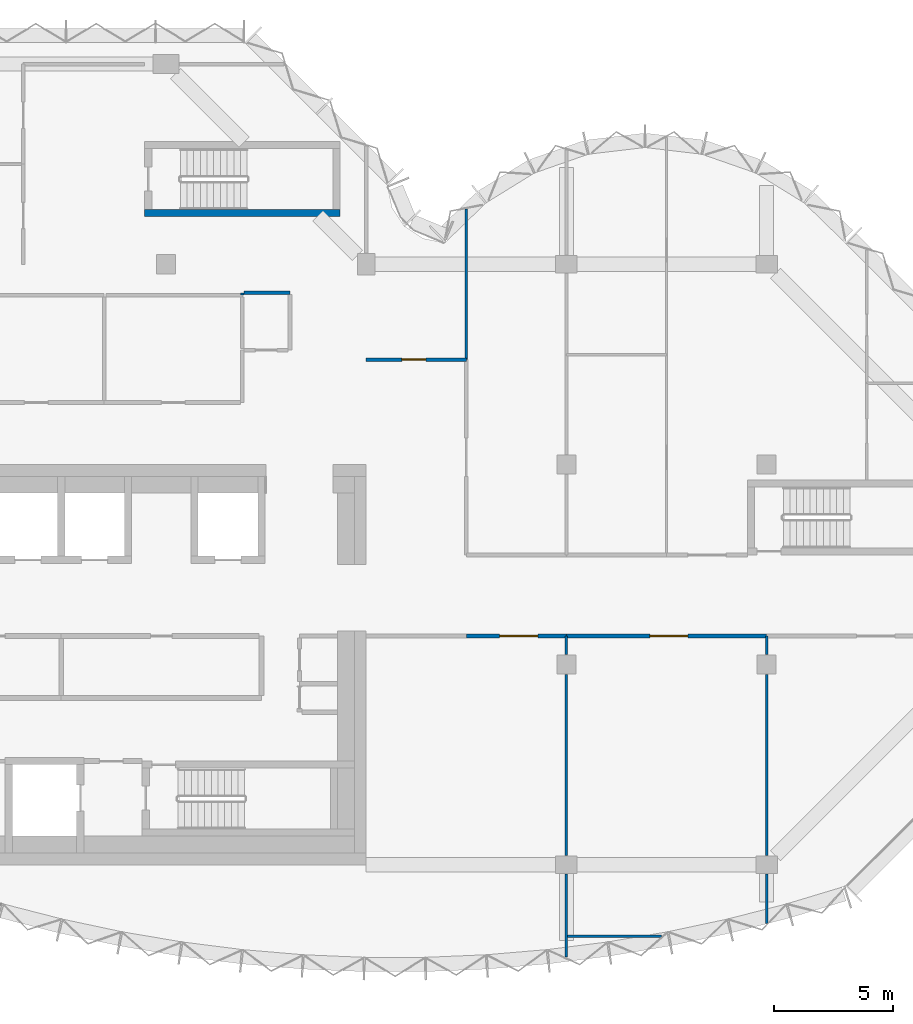
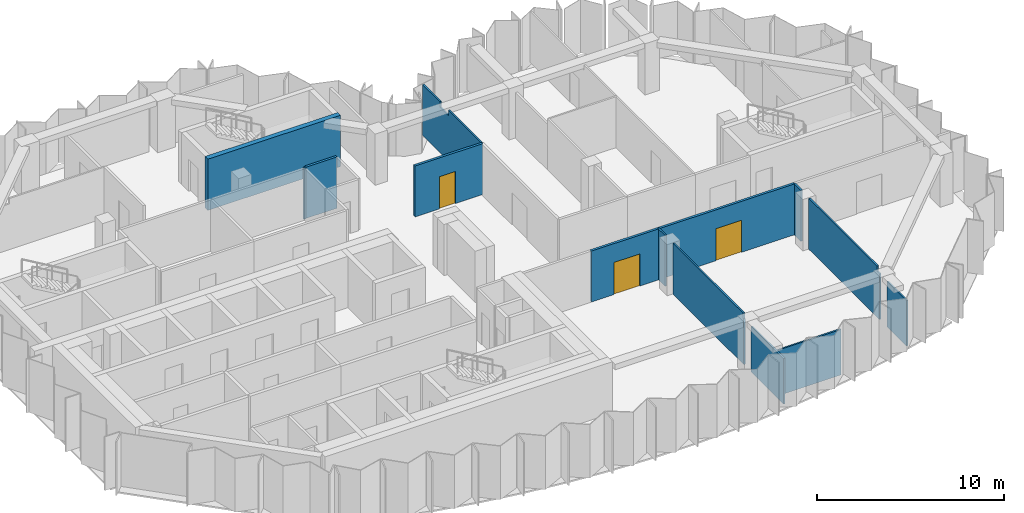
# One storey, part 6 of 10: 14 walls, 3 doors, 3 openings.
"""IFC4 building model written with IfcOpenShell, lengths in metres."""

from ifc_helpers import new_model, si_unit, direction, frame, frame_2d, origin, place, context, subcontext, project, spatial, polyline, rectangle, outline, extrude, material, layer, layer_set, type_object, element, fill, save


model = new_model("IFC4")

# Units and contexts
model_context = context("Model", 3, precision=1e-05, world=origin(), true_north=direction((0.0, 1.0)))
body_context = subcontext(model_context, "Body", "Model", "MODEL_VIEW")
ifc_project = project(units=[si_unit("LENGTHUNIT", "METRE"), si_unit("AREAUNIT", "SQUARE_METRE"), si_unit("VOLUMEUNIT", "CUBIC_METRE"), si_unit("PLANEANGLEUNIT", "RADIAN"), si_unit("MASSUNIT", "GRAM", prefix="KILO")], contexts=[model_context])

# Site, building, storey
site_placement = place(None, origin())
site = spatial("IfcSite", under=ifc_project, at=site_placement, CompositionType="ELEMENT")
building_placement = place(site_placement, origin())
building = spatial("IfcBuilding", under=site, at=building_placement, Name="Brevane Broadcast Tower", CompositionType="ELEMENT")
storey_placement = place(building_placement, frame((0.0, 0.0, 233.699951171875)))
storey = spatial("IfcBuildingStorey", under=building, at=storey_placement, Name="L59", CompositionType="ELEMENT", Elevation=233.699951171875)

# Walls
ifc_material_1 = material(Name="Gypsum board on steel studs", Category="steel")
ifc_layer_1 = layer(ifc_material_1, 0.14990234375)
ifc_layer_set_1 = layer_set([ifc_layer_1], Name="Core fire partition 150 mm")
wall_type_1 = type_object("IfcWallType", Name="Core fire partition 150 mm", PredefinedType="PARTITIONING", material=ifc_layer_set_1)
wall_1_placement = place(storey_placement, frame((20.0, 23.89990234375, 0.0), z_axis=(0.0, 0.0, 1.0), x_axis=(0.0, 1.0, 0.0)))
element("IfcWall", 1, at=wall_1_placement, inside=storey, type_object=wall_type_1, Name="L59 partition wall P30", PredefinedType="PARTITIONING", context=body_context, shape_type="SweptSolid", body=[
    extrude(rectangle(XDim=0.10009765625, YDim=0.14990234375, at=frame_2d((0.050048828125, 0.0))), origin(), (0.0, 0.0, 1.0), 3.35009765625),
])
wall_2_placement = place(storey_placement, frame((20.074951171875, 24.0, 0.0), z_axis=(0.0, 0.0, 1.0), x_axis=(1.0, 0.0, 0.0)))
element("IfcWall", 2, at=wall_2_placement, inside=storey, type_object=wall_type_1, Name="L59 partition wall P31", PredefinedType="PARTITIONING", context=body_context, shape_type="SweptSolid", body=[
    extrude(rectangle(XDim=1.925048828125, YDim=0.14990234375, at=frame_2d((0.96240234375, 0.0))), origin(), (0.0, 0.0, 1.0), 3.35009765625),
])
ifc_material_2 = material(Name="Concrete C50/60", Category="concrete")
ifc_layer_2 = layer(ifc_material_2, 0.300048828125)
ifc_layer_set_2 = layer_set([ifc_layer_2], Name="Core wall 300 mm C50/60")
wall_type_2 = type_object("IfcWallType", Name="Core wall 300 mm C50/60", PredefinedType="SHEAR", material=ifc_layer_set_2)
wall_3_placement = place(storey_placement, frame((15.89990234375, 27.35009765625, 0.0), z_axis=(0.0, 0.0, 1.0), x_axis=(1.0, 0.0, 0.0)))
element("IfcWall", 3, at=wall_3_placement, inside=storey, type_object=wall_type_2, Name="L59 stair wall ST-3-S", PredefinedType="SHEAR", context=body_context, shape_type="SweptSolid", body=[
    extrude(rectangle(XDim=8.2001953125, YDim=0.300048828125, at=frame_2d((4.10009765625, 0.0))), origin(), (0.0, 0.0, 1.0), 3.35009765625),
])
ifc_material_3 = material(Name="Gypsum board partition")
ifc_layer_3 = layer(ifc_material_3, 0.10009765625)
ifc_layer_set_3 = layer_set([ifc_layer_3], Name="PARTITION 100 STUD")
wall_type_3 = type_object("IfcWallType", Name="PARTITION 100 STUD", PredefinedType="PARTITIONING", material=ifc_layer_set_3)
wall_4_placement = place(storey_placement, frame((29.39990234375, 27.510986328125, 0.0), z_axis=(0.0, 0.0, 1.0), x_axis=(0.0, -1.0, 0.0)))
element("IfcWall", 4, at=wall_4_placement, inside=storey, type_object=wall_type_3, Name="Partition G18-004", PredefinedType="PARTITIONING", context=body_context, shape_type="SweptSolid", body=[
    extrude(outline(polyline([(0.0, 0.0), (6.31103515625, 0.0), (6.31103515625, 3.330078125), (2.760986328125, 3.330078125), (2.759033203125, 2.97998046875), (1.863037109375, 2.97998046875), (1.861083984375, 3.330078125), (0.236083984375, 3.330078125), (0.0, 3.330078125), (0.0, 0.0)])), frame((0.0, 0.050048828125, 0.0), z_axis=(0.0, -1.0, 0.0), x_axis=(1.0, 0.0, 0.0)), (0.0, 0.0, 1.0), 0.10009765625),
])
wall_5_placement = place(storey_placement, frame((33.60009765625, 9.60009765625, 0.0), z_axis=(0.0, 0.0, 1.0), x_axis=(0.0, -1.0, 0.0)))
element("IfcWall", 5, at=wall_5_placement, inside=storey, type_object=wall_type_3, Name="Partition G18-013", PredefinedType="PARTITIONING", context=body_context, shape_type="SweptSolid", body=[
    extrude(rectangle(XDim=0.780029296875, YDim=0.10009765625, at=frame_2d((0.39013671875, 0.0))), origin(), (0.0, 0.0, 1.0), 3.330078125),
])
wall_6_placement = place(storey_placement, frame((33.60009765625, 7.97998046875, 0.0), z_axis=(0.0, 0.0, 1.0), x_axis=(0.0, -1.0, 0.0)))
element("IfcWall", 6, at=wall_6_placement, inside=storey, type_object=wall_type_3, Name="Partition G18-014", PredefinedType="PARTITIONING", context=body_context, shape_type="SweptSolid", body=[
    extrude(outline(polyline([(0.0, 0.0), (7.5849609375, 0.0), (7.5849609375, 2.97998046875), (7.531982421875, 2.97998046875), (7.530029296875, 3.330078125), (0.0, 3.330078125), (0.0, 0.0)])), frame((0.0, 0.050048828125, 0.0), z_axis=(0.0, -1.0, 0.0), x_axis=(1.0, 0.0, 0.0)), (0.0, 0.0, 1.0), 0.10009765625),
])
wall_7_placement = place(storey_placement, frame((33.60009765625, -0.39501953125, 0.0), z_axis=(0.0, 0.0, 1.0), x_axis=(0.0, -1.0, 0.0)))
element("IfcWall", 7, at=wall_7_placement, inside=storey, type_object=wall_type_3, Name="Partition G18-015", PredefinedType="PARTITIONING", context=body_context, shape_type="SweptSolid", body=[
    extrude(rectangle(XDim=3.4853515625, YDim=0.10009765625, at=frame_2d((1.74267578125, 0.0))), origin(), (0.0, 0.0, 1.0), 2.97998046875),
])
wall_8_placement = place(storey_placement, frame((33.60009765625, -3.0, 0.0), z_axis=(0.0, 0.0, 1.0), x_axis=(1.0, 0.0, 0.0)))
element("IfcWall", 8, at=wall_8_placement, inside=storey, type_object=wall_type_3, Name="Partition G18-016", PredefinedType="PARTITIONING", context=body_context, shape_type="SweptSolid", body=[
    extrude(rectangle(XDim=3.990234375, YDim=0.10009765625, at=frame_2d((1.9951171875, 0.0))), origin(), (0.0, 0.0, 1.0), 2.97998046875),
])
wall_9_placement = place(storey_placement, frame((42.0, 9.60009765625, 0.0), z_axis=(0.0, 0.0, 1.0), x_axis=(0.0, -1.0, 0.0)))
element("IfcWall", 9, at=wall_9_placement, inside=storey, type_object=wall_type_3, Name="Partition G18-017", PredefinedType="PARTITIONING", context=body_context, shape_type="SweptSolid", body=[
    extrude(rectangle(XDim=0.780029296875, YDim=0.10009765625, at=frame_2d((0.39013671875, 0.0))), origin(), (0.0, 0.0, 1.0), 3.330078125),
])
wall_10_placement = place(storey_placement, frame((42.0, 7.97998046875, 0.0), z_axis=(0.0, 0.0, 1.0), x_axis=(0.0, -1.0, 0.0)))
element("IfcWall", 10, at=wall_10_placement, inside=storey, type_object=wall_type_3, Name="Partition G18-018", PredefinedType="PARTITIONING", context=body_context, shape_type="SweptSolid", body=[
    extrude(outline(polyline([(0.0, 0.0), (7.5849609375, 0.0), (7.5849609375, 2.97998046875), (7.31640625, 2.97998046875), (7.314208984375, 3.330078125), (0.0, 3.330078125), (0.0, 0.0)])), frame((0.0, 0.050048828125, 0.0), z_axis=(0.0, -1.0, 0.0), x_axis=(1.0, 0.0, 0.0)), (0.0, 0.0, 1.0), 0.10009765625),
])
wall_11_placement = place(storey_placement, frame((42.0, -0.39501953125, 0.0), z_axis=(0.0, 0.0, 1.0), x_axis=(0.0, -1.0, 0.0)))
element("IfcWall", 11, at=wall_11_placement, inside=storey, type_object=wall_type_3, Name="Partition G18-019", PredefinedType="PARTITIONING", context=body_context, shape_type="SweptSolid", body=[
    extrude(rectangle(XDim=2.074951171875, YDim=0.10009765625, at=frame_2d((1.03759765625, 0.0))), origin(), (0.0, 0.0, 1.0), 2.97998046875),
])

# Wall, opening, door
ifc_layer_4 = layer(ifc_material_3, 0.14990234375)
ifc_layer_set_4 = layer_set([ifc_layer_4], Name="PARTITION 150 EI 60")
wall_type_4 = type_object("IfcWallType", Name="PARTITION 150 EI 60", PredefinedType="PARTITIONING", material=ifc_layer_set_4)
wall_12_placement = place(storey_placement, frame((25.199951171875, 21.199951171875, 0.0), z_axis=(0.0, 0.0, 1.0), x_axis=(1.0, 0.0, 0.0)))
wall_12 = element("IfcWall", 12, at=wall_12_placement, inside=storey, type_object=wall_type_4, Name="Partition G18-001", PredefinedType="PARTITIONING", context=body_context, shape_type="SweptSolid", body=[
    extrude(rectangle(XDim=4.199951171875, YDim=0.14990234375, at=frame_2d((2.10009765625, 0.0))), origin(), (0.0, 0.0, 1.0), 3.330078125),
])
opening_1_placement = place(wall_12_placement, frame((1.5, 0.0, 0.0)))
opening_1 = element("IfcOpeningElement", 13, at=opening_1_placement, cuts=wall_12, Name="Opening D29-001", PredefinedType="OPENING", context=body_context, shape_type="SweptSolid", body=[
    extrude(rectangle(XDim=1.0, YDim=2.10009765625, at=frame_2d((0.5, 1.050048828125))), frame((0.0, 0.0849609375, 0.0), z_axis=(0.0, -1.0, 0.0), x_axis=(1.0, 0.0, 0.0)), (0.0, 0.0, 1.0), 0.169921875),
])
ifc_material_4 = material(Name="Fire-rated timber door leaf", Category="wood")
door_type_1 = type_object("IfcDoorType", Name="DOOR SINGLE 1000 FD30S", OperationType="SINGLE_SWING_LEFT", PredefinedType="DOOR", material=ifc_material_4)
door_1_placement = place(opening_1_placement, origin())
door_1 = element("IfcDoor", 14, at=door_1_placement, inside=storey, type_object=door_type_1, Name="Door D29-001", OperationType="SINGLE_SWING_LEFT", OverallHeight=2.10009765625, OverallWidth=1.0, PredefinedType="DOOR", context=body_context, shape_type="SweptSolid", body=[
    extrude(rectangle(XDim=1.0, YDim=2.10009765625, at=frame_2d((0.5, 1.050048828125))), frame((0.0, 0.02490234375, 0.0), z_axis=(0.0, -1.0, 0.0), x_axis=(1.0, 0.0, 0.0)), (0.0, 0.0, 1.0), 0.050048828125),
])
fill(opening_1, door_1)

wall_13_placement = place(storey_placement, frame((33.60009765625, 9.60009765625, 0.0), z_axis=(0.0, 0.0, 1.0), x_axis=(-1.0, 0.0, 0.0)))
wall_13 = element("IfcWall", 15, at=wall_13_placement, inside=storey, type_object=wall_type_4, Name="Partition G18-006", PredefinedType="PARTITIONING", context=body_context, shape_type="SweptSolid", body=[
    extrude(rectangle(XDim=4.2001953125, YDim=0.14990234375, at=frame_2d((2.10009765625, 0.0))), origin(), (0.0, 0.0, 1.0), 3.330078125),
])
opening_2_placement = place(wall_13_placement, frame((1.199951171875, 0.0, 0.0)))
opening_2 = element("IfcOpeningElement", 16, at=opening_2_placement, cuts=wall_13, Name="Opening D29-002", PredefinedType="OPENING", context=body_context, shape_type="SweptSolid", body=[
    extrude(rectangle(XDim=1.60009765625, YDim=2.10009765625, at=frame_2d((0.800048828125, 1.050048828125))), frame((0.0, 0.0849609375, 0.0), z_axis=(0.0, -1.0, 0.0), x_axis=(1.0, 0.0, 0.0)), (0.0, 0.0, 1.0), 0.169921875),
])
door_type_2 = type_object("IfcDoorType", Name="DOOR DOUBLE 1600 FD30S", OperationType="DOUBLE_DOOR_SINGLE_SWING", PredefinedType="DOOR", material=ifc_material_4)
door_2_placement = place(opening_2_placement, origin())
door_2 = element("IfcDoor", 17, at=door_2_placement, inside=storey, type_object=door_type_2, Name="Door D29-002", OperationType="DOUBLE_DOOR_SINGLE_SWING", OverallHeight=2.10009765625, OverallWidth=1.60009765625, PredefinedType="DOOR", context=body_context, shape_type="SweptSolid", body=[
    extrude(rectangle(XDim=1.60009765625, YDim=2.10009765625, at=frame_2d((0.800048828125, 1.050048828125))), frame((0.0, 0.02490234375, 0.0), z_axis=(0.0, -1.0, 0.0), x_axis=(1.0, 0.0, 0.0)), (0.0, 0.0, 1.0), 0.050048828125),
])
fill(opening_2, door_2)

wall_14_placement = place(storey_placement, frame((42.0, 9.60009765625, 0.0), z_axis=(0.0, 0.0, 1.0), x_axis=(-1.0, 0.0, 0.0)))
wall_14 = element("IfcWall", 18, at=wall_14_placement, inside=storey, type_object=wall_type_4, Name="Partition G18-007", PredefinedType="PARTITIONING", context=body_context, shape_type="SweptSolid", body=[
    extrude(rectangle(XDim=8.39990234375, YDim=0.14990234375, at=frame_2d((4.199951171875, 0.0))), origin(), (0.0, 0.0, 1.0), 3.330078125),
])
opening_3_placement = place(wall_14_placement, frame((3.300048828125, 0.0, 0.0)))
opening_3 = element("IfcOpeningElement", 19, at=opening_3_placement, cuts=wall_14, Name="Opening D29-003", PredefinedType="OPENING", context=body_context, shape_type="SweptSolid", body=[
    extrude(rectangle(XDim=1.60009765625, YDim=2.10009765625, at=frame_2d((0.800048828125, 1.050048828125))), frame((0.0, 0.0849609375, 0.0), z_axis=(0.0, -1.0, 0.0), x_axis=(1.0, 0.0, 0.0)), (0.0, 0.0, 1.0), 0.169921875),
])
door_3_placement = place(opening_3_placement, origin())
door_3 = element("IfcDoor", 20, at=door_3_placement, inside=storey, type_object=door_type_2, Name="Door D29-003", OperationType="DOUBLE_DOOR_SINGLE_SWING", OverallHeight=2.10009765625, OverallWidth=1.60009765625, PredefinedType="DOOR", context=body_context, shape_type="SweptSolid", body=[
    extrude(rectangle(XDim=1.60009765625, YDim=2.10009765625, at=frame_2d((0.800048828125, 1.050048828125))), frame((0.0, 0.02490234375, 0.0), z_axis=(0.0, -1.0, 0.0), x_axis=(1.0, 0.0, 0.0)), (0.0, 0.0, 1.0), 0.050048828125),
])
fill(opening_3, door_3)

save(model, "model.ifc")
